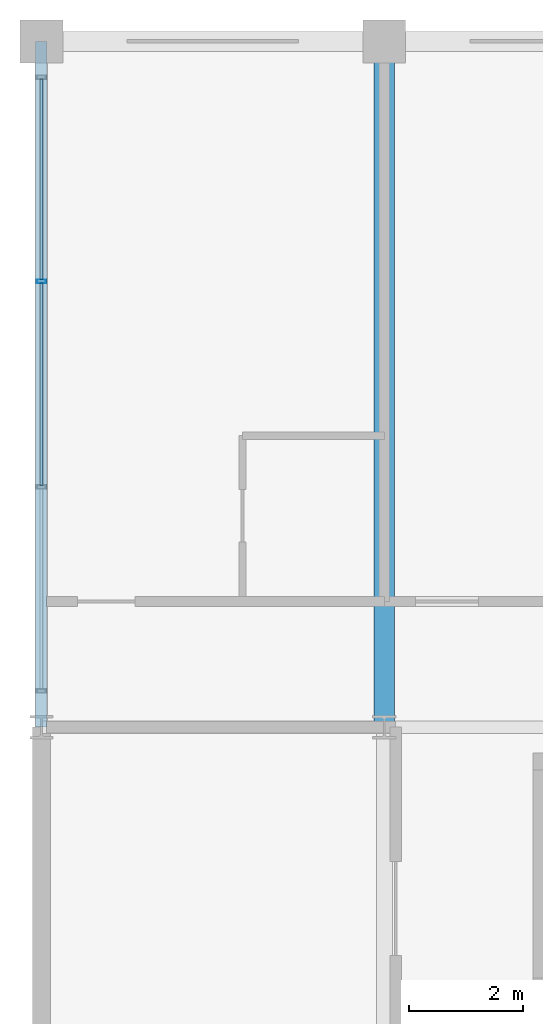
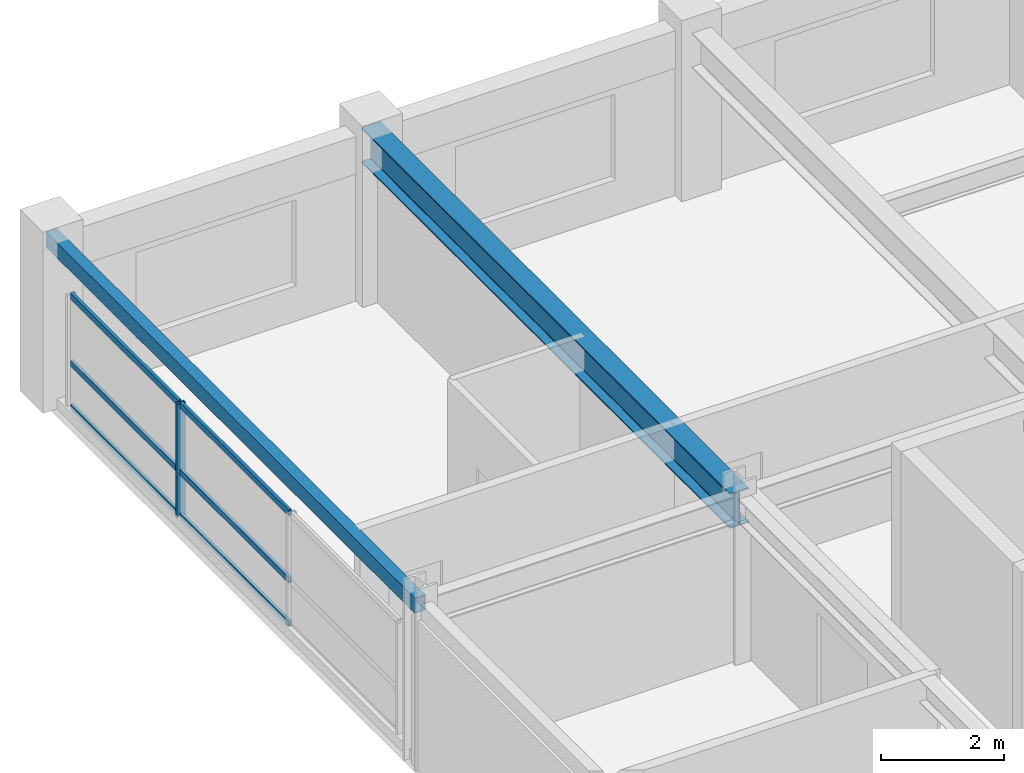
# One storey, part 7 of 20: 7 members, 2 beams, 1 element without a shape of its own.
"""IFC4 building model written with IfcOpenShell, lengths in metres."""

from ifc_helpers import new_model, si_unit, direction, frame, origin, origin_2d, place, context, subcontext, project, spatial, hollow_rectangle, i_section, extrude, material, material_profile, profile_set, type_object, element, aggregate, save


model = new_model("IFC4")

# Units and contexts
model_context = context("Model", 3, precision=1e-05, world=origin(), true_north=direction((0.0, 1.0)))
body_context = subcontext(model_context, "Body", "Model", "MODEL_VIEW")
ifc_project = project(units=[si_unit("LENGTHUNIT", "METRE"), si_unit("AREAUNIT", "SQUARE_METRE"), si_unit("VOLUMEUNIT", "CUBIC_METRE"), si_unit("PLANEANGLEUNIT", "RADIAN"), si_unit("MASSUNIT", "GRAM", prefix="KILO")], contexts=[model_context])

# Site, building, storey
site_placement = place(None, origin())
site = spatial("IfcSite", under=ifc_project, at=site_placement, CompositionType="ELEMENT")
building_placement = place(site_placement, origin())
building = spatial("IfcBuilding", under=site, at=building_placement, Name="Kaldorvane Square Convention Centre", CompositionType="ELEMENT")
storey_placement = place(building_placement, frame((0.0, 0.0, 56.399993896484375)))
storey = spatial("IfcBuildingStorey", under=building, at=storey_placement, Name="L13", CompositionType="ELEMENT", Elevation=56.399993896484375)

# Beams
ifc_material_1 = material(Name="Steel ASTM A992 Gr. 50", Category="steel")
ifc_material_profile_1 = material_profile(ifc_material_1, i_section(OverallWidth=0.354705810546875, OverallDepth=0.69549560546875, WebThickness=0.0153961181640625, FlangeThickness=0.0251007080078125, FilletRadius=0.01519775390625, at=origin_2d()), Name="W27X146")
ifc_profile_set_1 = profile_set([ifc_material_profile_1], Name="Steel ASTM A992 Gr. 50")
beam_type_1 = type_object("IfcBeamType", Name="BM-GR-W27X146", PredefinedType="BEAM", material=ifc_profile_set_1)
beam_1_placement = place(storey_placement, frame((36.0, 105.0, 2.9383087158203125), z_axis=(0.0, 1.0, 0.0), x_axis=(-1.0, 0.0, 0.0)))
element("IfcBeam", 1, at=beam_1_placement, inside=storey, type_object=beam_type_1, Name="Transverse Girder (L13)", PredefinedType="BEAM", context=body_context, shape_type="SweptSolid", body=[
    extrude(i_section(OverallWidth=0.354705810546875, OverallDepth=0.69549560546875, WebThickness=0.0153961181640625, FlangeThickness=0.0251007080078125, FilletRadius=0.01519775390625, at=origin_2d()), origin(), (0.0, 0.0, 1.0), 12.0),
])
ifc_material_2 = material(Name="Steel ASTM A500 Gr. C", Category="steel")
ifc_material_profile_2 = material_profile(ifc_material_2, hollow_rectangle(XDim=0.2032012939453125, YDim=0.3047943115234375, WallThickness=0.0088958740234375, at=origin_2d()), Name="HSS12X8X3/8")
ifc_profile_set_2 = profile_set([ifc_material_profile_2], Name="Steel ASTM A500 Gr. C")
beam_type_2 = type_object("IfcBeamType", Name="BM-SP-HSS12", PredefinedType="SPANDREL", material=ifc_profile_set_2)
beam_2_placement = place(storey_placement, frame((30.0, 105.0, 3.13360595703125), z_axis=(0.0, 1.0, 0.0), x_axis=(-1.0, 0.0, 0.0)))
element("IfcBeam", 2, at=beam_2_placement, inside=storey, type_object=beam_type_2, Name="End Spandrel (L13)", PredefinedType="SPANDREL", context=body_context, shape_type="SweptSolid", body=[
    extrude(hollow_rectangle(XDim=0.2032012939453125, YDim=0.3047943115234375, WallThickness=0.0088958740234375, at=origin_2d()), origin(), (0.0, 0.0, 1.0), 12.0),
])

# Curtain wall, members
ifc_material_3 = material(Name="Anodized Aluminum and Low-E Insulated Glazing", Category="aluminium")
curtain_wall_type = type_object("IfcCurtainWallType", Name="CW-UNI-HTL-B", PredefinedType="USERDEFINED", material=ifc_material_3)
curtain_wall_placement = place(storey_placement, origin())
curtain_wall = element("IfcCurtainWall", 3, at=curtain_wall_placement, inside=storey, type_object=curtain_wall_type, Name="Curtain Wall CW-11 (L13)", ObjectType="UNITISED GLAZING", PredefinedType="USERDEFINED")
ifc_material_profile_3 = material_profile(ifc_material_3, hollow_rectangle(XDim=0.05999755859375, YDim=0.160003662109375, WallThickness=0.003204345703125, at=origin_2d()), Name="CWM-160X60")
ifc_profile_set_3 = profile_set([ifc_material_profile_3], Name="Anodized Aluminum and Low-E Insulated Glazing")
member_type_1 = type_object("IfcMemberType", Name="CW-MUL-160", PredefinedType="MULLION", material=ifc_profile_set_3)
member_1_placement = place(storey_placement, frame((30.0, 112.80000305175781, 0.1500091552734375), z_axis=(0.0, 0.0, 1.0), x_axis=(0.0, -1.0, 0.0)))
member_1 = element("IfcMember", 4, at=member_1_placement, type_object=member_type_1, Name="CW-11 mullion 2", PredefinedType="MULLION", context=body_context, shape_type="SweptSolid", body=[
    extrude(hollow_rectangle(XDim=0.05999755859375, YDim=0.160003662109375, WallThickness=0.003204345703125, at=origin_2d()), origin(), (0.0, 0.0, 1.0), 2.2599945068359375),
])
ifc_material_profile_4 = material_profile(ifc_material_3, hollow_rectangle(XDim=0.05499267578125, YDim=0.1199951171875, WallThickness=0.0030059814453125, at=origin_2d()), Name="CWT-120X55")
ifc_profile_set_4 = profile_set([ifc_material_profile_4], Name="Anodized Aluminum and Low-E Insulated Glazing")
member_type_2 = type_object("IfcMemberType", Name="CW-TRN-120", PredefinedType="USERDEFINED", material=ifc_profile_set_4)
member_2_placement = place(storey_placement, frame((30.0, 116.33999633789062, 0.1775054931640625), z_axis=(0.0, -1.0, 0.0), x_axis=(1.0, 0.0, 0.0)))
member_2 = element("IfcMember", 5, at=member_2_placement, type_object=member_type_2, Name="CW-11 transom 1.1", ObjectType="TRANSOM", PredefinedType="USERDEFINED", context=body_context, shape_type="SweptSolid", body=[
    extrude(hollow_rectangle(XDim=0.05499267578125, YDim=0.1199951171875, WallThickness=0.0030059814453125, at=origin_2d()), origin(), (0.0, 0.0, 1.0), 3.5099945068359375),
])
member_3_placement = place(storey_placement, frame((30.0, 116.33999633789062, 1.0500030517578125), z_axis=(0.0, -1.0, 0.0), x_axis=(1.0, 0.0, 0.0)))
member_3 = element("IfcMember", 6, at=member_3_placement, type_object=member_type_2, Name="CW-11 transom 1.2", ObjectType="TRANSOM", PredefinedType="USERDEFINED", context=body_context, shape_type="SweptSolid", body=[
    extrude(hollow_rectangle(XDim=0.05499267578125, YDim=0.1199951171875, WallThickness=0.0030059814453125, at=origin_2d()), origin(), (0.0, 0.0, 1.0), 3.5099945068359375),
])
member_4_placement = place(storey_placement, frame((30.0, 116.33999633789062, 2.38250732421875), z_axis=(0.0, -1.0, 0.0), x_axis=(1.0, 0.0, 0.0)))
member_4 = element("IfcMember", 7, at=member_4_placement, type_object=member_type_2, Name="CW-11 transom 1.3", ObjectType="TRANSOM", PredefinedType="USERDEFINED", context=body_context, shape_type="SweptSolid", body=[
    extrude(hollow_rectangle(XDim=0.05499267578125, YDim=0.1199951171875, WallThickness=0.0030059814453125, at=origin_2d()), origin(), (0.0, 0.0, 1.0), 3.5099945068359375),
])
member_5_placement = place(storey_placement, frame((30.0, 112.77000427246094, 0.1775054931640625), z_axis=(0.0, -1.0, 0.0), x_axis=(1.0, 0.0, 0.0)))
member_5 = element("IfcMember", 8, at=member_5_placement, type_object=member_type_2, Name="CW-11 transom 2.1", ObjectType="TRANSOM", PredefinedType="USERDEFINED", context=body_context, shape_type="SweptSolid", body=[
    extrude(hollow_rectangle(XDim=0.05499267578125, YDim=0.1199951171875, WallThickness=0.0030059814453125, at=origin_2d()), origin(), (0.0, 0.0, 1.0), 3.540008544921875),
])
member_6_placement = place(storey_placement, frame((30.0, 112.77000427246094, 1.0500030517578125), z_axis=(0.0, -1.0, 0.0), x_axis=(1.0, 0.0, 0.0)))
member_6 = element("IfcMember", 9, at=member_6_placement, type_object=member_type_2, Name="CW-11 transom 2.2", ObjectType="TRANSOM", PredefinedType="USERDEFINED", context=body_context, shape_type="SweptSolid", body=[
    extrude(hollow_rectangle(XDim=0.05499267578125, YDim=0.1199951171875, WallThickness=0.0030059814453125, at=origin_2d()), origin(), (0.0, 0.0, 1.0), 3.540008544921875),
])
member_7_placement = place(storey_placement, frame((30.0, 112.77000427246094, 2.38250732421875), z_axis=(0.0, -1.0, 0.0), x_axis=(1.0, 0.0, 0.0)))
member_7 = element("IfcMember", 10, at=member_7_placement, type_object=member_type_2, Name="CW-11 transom 2.3", ObjectType="TRANSOM", PredefinedType="USERDEFINED", context=body_context, shape_type="SweptSolid", body=[
    extrude(hollow_rectangle(XDim=0.05499267578125, YDim=0.1199951171875, WallThickness=0.0030059814453125, at=origin_2d()), origin(), (0.0, 0.0, 1.0), 3.540008544921875),
])
aggregate(curtain_wall, [member_1, member_2, member_3, member_4, member_5, member_6, member_7])

save(model, "model.ifc")
